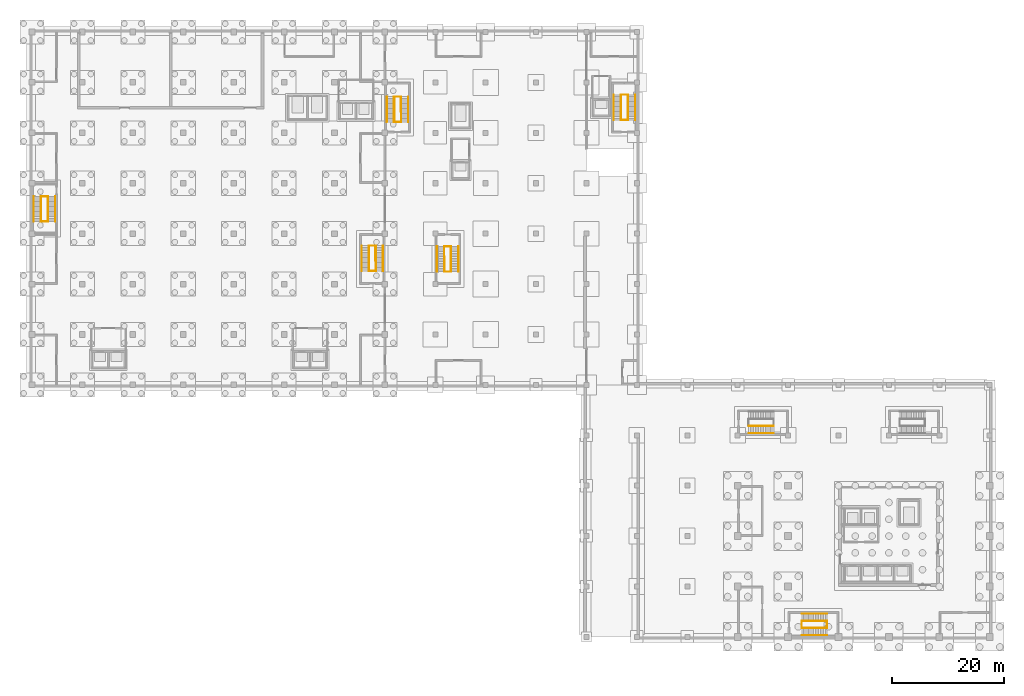
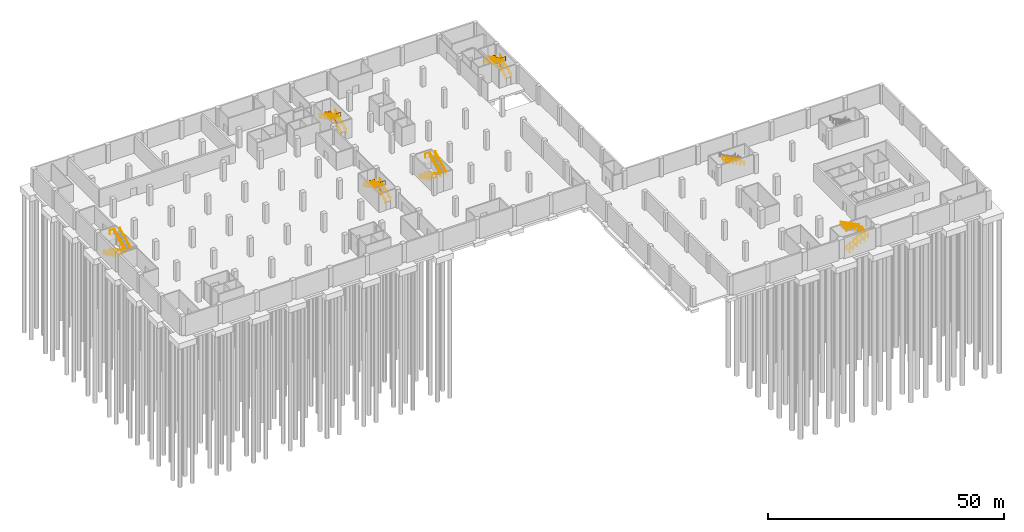
# One storey, part 15 of 17: 32 railings.
"""IFC4 building model written with IfcOpenShell, lengths in metres."""

from ifc_helpers import new_model, si_unit, direction, frame, origin, origin_2d, place, context, subcontext, project, spatial, circle, extrude, material, type_object, element, save


model = new_model("IFC4")

# Units and contexts
model_context = context("Model", 3, precision=1e-05, world=origin(), true_north=direction((0.0, 1.0)))
body_context = subcontext(model_context, "Body", "Model", "MODEL_VIEW")
ifc_project = project(units=[si_unit("LENGTHUNIT", "METRE"), si_unit("AREAUNIT", "SQUARE_METRE"), si_unit("VOLUMEUNIT", "CUBIC_METRE"), si_unit("PLANEANGLEUNIT", "RADIAN"), si_unit("MASSUNIT", "GRAM", prefix="KILO")], contexts=[model_context])

# Site, building, storey
site_placement = place(None, origin())
site = spatial("IfcSite", under=ifc_project, at=site_placement, CompositionType="ELEMENT")
building_placement = place(site_placement, origin())
building = spatial("IfcBuilding", under=site, at=building_placement, Name="Guidao Yard Department Store", CompositionType="ELEMENT")
storey_placement = place(building_placement, frame((0.0, 0.0, -9.89990234375)))
storey = spatial("IfcBuildingStorey", under=building, at=storey_placement, Name="B2", CompositionType="ELEMENT", Elevation=-9.89990234375)

# Railings
ifc_material_1 = material(Name="Steel Q235", Category="steel")
railing_type_1 = type_object("IfcRailingType", Name="Guard steel balustrade 1100", PredefinedType="GUARDRAIL", material=ifc_material_1)
railing_1_placement = place(storey_placement, frame((73.64990234375, 67.89990234375, 1.0498046875)))
element("IfcRailing", 1, at=railing_1_placement, inside=storey, type_object=railing_type_1, Name="Basement stair G1 guard B2 1", PredefinedType="GUARDRAIL", context=body_context, shape_type="SweptSolid", body=[
    extrude(circle(Radius=0.02392578125, at=origin_2d()), frame((0.0, 0.0, 1.076171875), z_axis=(0.0, -0.894411015155, 0.447245945728), x_axis=(1.0, 0.0, 0.0)), (0.0, 0.0, 1.0), 3.018798828125),
    extrude(circle(Radius=0.02392578125, at=origin_2d()), frame((0.0, -2.699951171875, 2.42626953125), z_axis=(1.0, 0.0, 0.0), x_axis=(0.0, 1.0, 0.0)), (0.0, 0.0, 1.0), 1.150146484375),
    extrude(circle(Radius=0.02392578125, at=origin_2d()), frame((1.150146484375, -2.699951171875, 2.42626953125), z_axis=(0.0, 0.0, 1.0), x_axis=(1.0, 0.0, 0.0)), (0.0, 0.0, 1.0), 0.14990234375),
    extrude(circle(Radius=0.02392578125, at=origin_2d()), frame((1.150146484375, -2.699951171875, 2.576171875), z_axis=(0.0, 0.894427191, 0.4472135955), x_axis=(-1.0, 0.0, 0.0)), (0.0, 0.0, 1.0), 5.03125),
    extrude(circle(Radius=0.02392578125, at=origin_2d()), frame((1.150146484375, 1.800048828125, 4.826171875), z_axis=(-1.0, 0.0, 0.0), x_axis=(0.0, -1.0, 0.0)), (0.0, 0.0, 1.0), 1.150146484375),
    extrude(circle(Radius=0.02099609375, at=origin_2d()), origin(), (0.0, 0.0, 1.0), 1.052001953125),
    extrude(circle(Radius=0.02099609375, at=origin_2d()), frame((0.0, -0.89990234375, 0.449951171875)), (0.0, 0.0, 1.0), 1.052001953125),
    extrude(circle(Radius=0.02099609375, at=origin_2d()), frame((0.0, -1.800048828125, 0.900146484375)), (0.0, 0.0, 1.0), 1.052001953125),
    extrude(circle(Radius=0.02099609375, at=origin_2d()), frame((0.0, -2.699951171875, 1.35009765625)), (0.0, 0.0, 1.0), 1.052001953125),
    extrude(circle(Radius=0.02099609375, at=origin_2d()), frame((1.150146484375, -2.699951171875, 1.35009765625)), (0.0, 0.0, 1.0), 1.052001953125),
    extrude(circle(Radius=0.02099609375, at=origin_2d()), frame((1.150146484375, -2.699951171875, 1.5)), (0.0, 0.0, 1.0), 1.052001953125),
    extrude(circle(Radius=0.02099609375, at=origin_2d()), frame((1.150146484375, -1.800048828125, 1.949951171875)), (0.0, 0.0, 1.0), 1.052001953125),
    extrude(circle(Radius=0.02099609375, at=origin_2d()), frame((1.150146484375, -0.89990234375, 2.39990234375)), (0.0, 0.0, 1.0), 1.052001953125),
    extrude(circle(Radius=0.02099609375, at=origin_2d()), frame((1.150146484375, 0.0, 2.85009765625)), (0.0, 0.0, 1.0), 1.052001953125),
    extrude(circle(Radius=0.02099609375, at=origin_2d()), frame((1.150146484375, 0.900146484375, 3.300048828125)), (0.0, 0.0, 1.0), 1.052001953125),
    extrude(circle(Radius=0.02099609375, at=origin_2d()), frame((1.150146484375, 1.800048828125, 3.75)), (0.0, 0.0, 1.0), 1.052001953125),
    extrude(circle(Radius=0.02099609375, at=origin_2d()), frame((0.0, 1.800048828125, 3.75)), (0.0, 0.0, 1.0), 1.052001953125),
])
railing_2_placement = place(storey_placement, frame((106.35009765625, 94.10009765625, 1.0498046875)))
element("IfcRailing", 2, at=railing_2_placement, inside=storey, type_object=railing_type_1, Name="Basement stair G2 guard B2 2", PredefinedType="GUARDRAIL", context=body_context, shape_type="SweptSolid", body=[
    extrude(circle(Radius=0.02392578125, at=origin_2d()), frame((0.0, 0.0, 1.076171875), z_axis=(0.0, 0.894411015155, 0.447245945728), x_axis=(-1.0, 0.0, 0.0)), (0.0, 0.0, 1.0), 3.018798828125),
    extrude(circle(Radius=0.02392578125, at=origin_2d()), frame((0.0, 2.699951171875, 2.42626953125), z_axis=(-1.0, 0.0, 0.0), x_axis=(0.0, -1.0, 0.0)), (0.0, 0.0, 1.0), 1.150146484375),
    extrude(circle(Radius=0.02392578125, at=origin_2d()), frame((-1.150146484375, 2.699951171875, 2.42626953125), z_axis=(0.0, 0.0, 1.0), x_axis=(1.0, 0.0, 0.0)), (0.0, 0.0, 1.0), 0.14990234375),
    extrude(circle(Radius=0.02392578125, at=origin_2d()), frame((-1.150146484375, 2.699951171875, 2.576171875), z_axis=(0.0, -0.894427191, 0.4472135955), x_axis=(1.0, 0.0, 0.0)), (0.0, 0.0, 1.0), 5.03125),
    extrude(circle(Radius=0.02392578125, at=origin_2d()), frame((-1.150146484375, -1.800048828125, 4.826171875), z_axis=(1.0, 0.0, 0.0), x_axis=(0.0, 1.0, 0.0)), (0.0, 0.0, 1.0), 1.150146484375),
    extrude(circle(Radius=0.02099609375, at=origin_2d()), origin(), (0.0, 0.0, 1.0), 1.052001953125),
    extrude(circle(Radius=0.02099609375, at=origin_2d()), frame((0.0, 0.89990234375, 0.449951171875)), (0.0, 0.0, 1.0), 1.052001953125),
    extrude(circle(Radius=0.02099609375, at=origin_2d()), frame((0.0, 1.800048828125, 0.900146484375)), (0.0, 0.0, 1.0), 1.052001953125),
    extrude(circle(Radius=0.02099609375, at=origin_2d()), frame((0.0, 2.699951171875, 1.35009765625)), (0.0, 0.0, 1.0), 1.052001953125),
    extrude(circle(Radius=0.02099609375, at=origin_2d()), frame((-1.150146484375, 2.699951171875, 1.35009765625)), (0.0, 0.0, 1.0), 1.052001953125),
    extrude(circle(Radius=0.02099609375, at=origin_2d()), frame((-1.150146484375, 2.699951171875, 1.5)), (0.0, 0.0, 1.0), 1.052001953125),
    extrude(circle(Radius=0.02099609375, at=origin_2d()), frame((-1.150146484375, 1.800048828125, 1.949951171875)), (0.0, 0.0, 1.0), 1.052001953125),
    extrude(circle(Radius=0.02099609375, at=origin_2d()), frame((-1.150146484375, 0.89990234375, 2.39990234375)), (0.0, 0.0, 1.0), 1.052001953125),
    extrude(circle(Radius=0.02099609375, at=origin_2d()), frame((-1.150146484375, 0.0, 2.85009765625)), (0.0, 0.0, 1.0), 1.052001953125),
    extrude(circle(Radius=0.02099609375, at=origin_2d()), frame((-1.150146484375, -0.900146484375, 3.300048828125)), (0.0, 0.0, 1.0), 1.052001953125),
    extrude(circle(Radius=0.02099609375, at=origin_2d()), frame((-1.150146484375, -1.800048828125, 3.75)), (0.0, 0.0, 1.0), 1.052001953125),
    extrude(circle(Radius=0.02099609375, at=origin_2d()), frame((0.0, -1.800048828125, 3.75)), (0.0, 0.0, 1.0), 1.052001953125),
])
railing_3_placement = place(storey_placement, frame((1.64990234375, 76.85009765625, 1.0498046875)))
element("IfcRailing", 3, at=railing_3_placement, inside=storey, type_object=railing_type_1, Name="Basement stair H1 guard B2 3", PredefinedType="GUARDRAIL", context=body_context, shape_type="SweptSolid", body=[
    extrude(circle(Radius=0.02392578125, at=origin_2d()), frame((0.0, 0.0, 1.076171875), z_axis=(0.0, -0.894427191, 0.4472135955), x_axis=(1.0, 0.0, 0.0)), (0.0, 0.0, 1.0), 3.018798828125),
    extrude(circle(Radius=0.02392578125, at=origin_2d()), frame((0.0, -2.7001953125, 2.42626953125), z_axis=(1.0, 0.0, 0.0), x_axis=(0.0, 1.0, 0.0)), (0.0, 0.0, 1.0), 1.150146484375),
    extrude(circle(Radius=0.02392578125, at=origin_2d()), frame((1.150146484375, -2.7001953125, 2.42626953125), z_axis=(0.0, 0.0, 1.0), x_axis=(1.0, 0.0, 0.0)), (0.0, 0.0, 1.0), 0.14990234375),
    extrude(circle(Radius=0.02392578125, at=origin_2d()), frame((1.150146484375, -2.7001953125, 2.576171875), z_axis=(0.0, 0.894427191, 0.4472135955), x_axis=(-1.0, 0.0, 0.0)), (0.0, 0.0, 1.0), 5.03125),
    extrude(circle(Radius=0.02392578125, at=origin_2d()), frame((1.150146484375, 1.7998046875, 4.826171875), z_axis=(-1.0, 0.0, 0.0), x_axis=(0.0, -1.0, 0.0)), (0.0, 0.0, 1.0), 1.150146484375),
    extrude(circle(Radius=0.02099609375, at=origin_2d()), origin(), (0.0, 0.0, 1.0), 1.052001953125),
    extrude(circle(Radius=0.02099609375, at=origin_2d()), frame((0.0, -0.900146484375, 0.449951171875)), (0.0, 0.0, 1.0), 1.052001953125),
    extrude(circle(Radius=0.02099609375, at=origin_2d()), frame((0.0, -1.800048828125, 0.900146484375)), (0.0, 0.0, 1.0), 1.052001953125),
    extrude(circle(Radius=0.02099609375, at=origin_2d()), frame((0.0, -2.7001953125, 1.35009765625)), (0.0, 0.0, 1.0), 1.052001953125),
    extrude(circle(Radius=0.02099609375, at=origin_2d()), frame((1.150146484375, -2.7001953125, 1.35009765625)), (0.0, 0.0, 1.0), 1.052001953125),
    extrude(circle(Radius=0.02099609375, at=origin_2d()), frame((1.150146484375, -2.7001953125, 1.5)), (0.0, 0.0, 1.0), 1.052001953125),
    extrude(circle(Radius=0.02099609375, at=origin_2d()), frame((1.150146484375, -1.80029296875, 1.949951171875)), (0.0, 0.0, 1.0), 1.052001953125),
    extrude(circle(Radius=0.02099609375, at=origin_2d()), frame((1.150146484375, -0.900146484375, 2.39990234375)), (0.0, 0.0, 1.0), 1.052001953125),
    extrude(circle(Radius=0.02099609375, at=origin_2d()), frame((1.150146484375, -0.000244140625, 2.85009765625)), (0.0, 0.0, 1.0), 1.052001953125),
    extrude(circle(Radius=0.02099609375, at=origin_2d()), frame((1.150146484375, 0.89990234375, 3.300048828125)), (0.0, 0.0, 1.0), 1.052001953125),
    extrude(circle(Radius=0.02099609375, at=origin_2d()), frame((1.150146484375, 1.7998046875, 3.75)), (0.0, 0.0, 1.0), 1.052001953125),
    extrude(circle(Radius=0.02099609375, at=origin_2d()), frame((0.0, 1.7998046875, 3.75)), (0.0, 0.0, 1.0), 1.052001953125),
])
railing_4_placement = place(storey_placement, frame((65.85009765625, 93.75, 1.0498046875)))
element("IfcRailing", 4, at=railing_4_placement, inside=storey, type_object=railing_type_1, Name="Basement stair H2 guard B2 4", PredefinedType="GUARDRAIL", context=body_context, shape_type="SweptSolid", body=[
    extrude(circle(Radius=0.02392578125, at=origin_2d()), frame((0.0, 0.0, 1.076171875), z_axis=(0.0, 0.894411015155, 0.447245945728), x_axis=(-1.0, 0.0, 0.0)), (0.0, 0.0, 1.0), 3.018798828125),
    extrude(circle(Radius=0.02392578125, at=origin_2d()), frame((0.0, 2.699951171875, 2.42626953125), z_axis=(-1.0, 0.0, 0.0), x_axis=(0.0, -1.0, 0.0)), (0.0, 0.0, 1.0), 1.150146484375),
    extrude(circle(Radius=0.02392578125, at=origin_2d()), frame((-1.150146484375, 2.699951171875, 2.42626953125), z_axis=(0.0, 0.0, 1.0), x_axis=(1.0, 0.0, 0.0)), (0.0, 0.0, 1.0), 0.14990234375),
    extrude(circle(Radius=0.02392578125, at=origin_2d()), frame((-1.150146484375, 2.699951171875, 2.576171875), z_axis=(0.0, -0.894427191, 0.4472135955), x_axis=(1.0, 0.0, 0.0)), (0.0, 0.0, 1.0), 5.03125),
    extrude(circle(Radius=0.02392578125, at=origin_2d()), frame((-1.150146484375, -1.800048828125, 4.826171875), z_axis=(1.0, 0.0, 0.0), x_axis=(0.0, 1.0, 0.0)), (0.0, 0.0, 1.0), 1.150146484375),
    extrude(circle(Radius=0.02099609375, at=origin_2d()), origin(), (0.0, 0.0, 1.0), 1.052001953125),
    extrude(circle(Radius=0.02099609375, at=origin_2d()), frame((0.0, 0.89990234375, 0.449951171875)), (0.0, 0.0, 1.0), 1.052001953125),
    extrude(circle(Radius=0.02099609375, at=origin_2d()), frame((0.0, 1.800048828125, 0.900146484375)), (0.0, 0.0, 1.0), 1.052001953125),
    extrude(circle(Radius=0.02099609375, at=origin_2d()), frame((0.0, 2.699951171875, 1.35009765625)), (0.0, 0.0, 1.0), 1.052001953125),
    extrude(circle(Radius=0.02099609375, at=origin_2d()), frame((-1.150146484375, 2.699951171875, 1.35009765625)), (0.0, 0.0, 1.0), 1.052001953125),
    extrude(circle(Radius=0.02099609375, at=origin_2d()), frame((-1.150146484375, 2.699951171875, 1.5)), (0.0, 0.0, 1.0), 1.052001953125),
    extrude(circle(Radius=0.02099609375, at=origin_2d()), frame((-1.150146484375, 1.800048828125, 1.949951171875)), (0.0, 0.0, 1.0), 1.052001953125),
    extrude(circle(Radius=0.02099609375, at=origin_2d()), frame((-1.150146484375, 0.89990234375, 2.39990234375)), (0.0, 0.0, 1.0), 1.052001953125),
    extrude(circle(Radius=0.02099609375, at=origin_2d()), frame((-1.150146484375, 0.0, 2.85009765625)), (0.0, 0.0, 1.0), 1.052001953125),
    extrude(circle(Radius=0.02099609375, at=origin_2d()), frame((-1.150146484375, -0.900146484375, 3.300048828125)), (0.0, 0.0, 1.0), 1.052001953125),
    extrude(circle(Radius=0.02099609375, at=origin_2d()), frame((-1.150146484375, -1.800048828125, 3.75)), (0.0, 0.0, 1.0), 1.052001953125),
    extrude(circle(Radius=0.02099609375, at=origin_2d()), frame((0.0, -1.800048828125, 3.75)), (0.0, 0.0, 1.0), 1.052001953125),
])
railing_5_placement = place(storey_placement, frame((61.35009765625, 67.14990234375, 1.0498046875)))
element("IfcRailing", 5, at=railing_5_placement, inside=storey, type_object=railing_type_1, Name="Basement stair H3 guard B2 5", PredefinedType="GUARDRAIL", context=body_context, shape_type="SweptSolid", body=[
    extrude(circle(Radius=0.02392578125, at=origin_2d()), frame((0.0, 0.0, 1.076171875), z_axis=(0.0, 0.894427191, 0.4472135955), x_axis=(-1.0, 0.0, 0.0)), (0.0, 0.0, 1.0), 3.018798828125),
    extrude(circle(Radius=0.02392578125, at=origin_2d()), frame((0.0, 2.7001953125, 2.42626953125), z_axis=(-1.0, 0.0, 0.0), x_axis=(0.0, -1.0, 0.0)), (0.0, 0.0, 1.0), 1.150146484375),
    extrude(circle(Radius=0.02392578125, at=origin_2d()), frame((-1.150146484375, 2.7001953125, 2.42626953125), z_axis=(0.0, 0.0, 1.0), x_axis=(1.0, 0.0, 0.0)), (0.0, 0.0, 1.0), 0.14990234375),
    extrude(circle(Radius=0.02392578125, at=origin_2d()), frame((-1.150146484375, 2.7001953125, 2.576171875), z_axis=(0.0, -0.894427191, 0.4472135955), x_axis=(1.0, 0.0, 0.0)), (0.0, 0.0, 1.0), 5.03125),
    extrude(circle(Radius=0.02392578125, at=origin_2d()), frame((-1.150146484375, -1.7998046875, 4.826171875), z_axis=(1.0, 0.0, 0.0), x_axis=(0.0, 1.0, 0.0)), (0.0, 0.0, 1.0), 1.150146484375),
    extrude(circle(Radius=0.02099609375, at=origin_2d()), origin(), (0.0, 0.0, 1.0), 1.052001953125),
    extrude(circle(Radius=0.02099609375, at=origin_2d()), frame((0.0, 0.900146484375, 0.449951171875)), (0.0, 0.0, 1.0), 1.052001953125),
    extrude(circle(Radius=0.02099609375, at=origin_2d()), frame((0.0, 1.800048828125, 0.900146484375)), (0.0, 0.0, 1.0), 1.052001953125),
    extrude(circle(Radius=0.02099609375, at=origin_2d()), frame((0.0, 2.7001953125, 1.35009765625)), (0.0, 0.0, 1.0), 1.052001953125),
    extrude(circle(Radius=0.02099609375, at=origin_2d()), frame((-1.150146484375, 2.7001953125, 1.35009765625)), (0.0, 0.0, 1.0), 1.052001953125),
    extrude(circle(Radius=0.02099609375, at=origin_2d()), frame((-1.150146484375, 2.7001953125, 1.5)), (0.0, 0.0, 1.0), 1.052001953125),
    extrude(circle(Radius=0.02099609375, at=origin_2d()), frame((-1.150146484375, 1.80029296875, 1.949951171875)), (0.0, 0.0, 1.0), 1.052001953125),
    extrude(circle(Radius=0.02099609375, at=origin_2d()), frame((-1.150146484375, 0.900146484375, 2.39990234375)), (0.0, 0.0, 1.0), 1.052001953125),
    extrude(circle(Radius=0.02099609375, at=origin_2d()), frame((-1.150146484375, 0.000244140625, 2.85009765625)), (0.0, 0.0, 1.0), 1.052001953125),
    extrude(circle(Radius=0.02099609375, at=origin_2d()), frame((-1.150146484375, -0.89990234375, 3.300048828125)), (0.0, 0.0, 1.0), 1.052001953125),
    extrude(circle(Radius=0.02099609375, at=origin_2d()), frame((-1.150146484375, -1.7998046875, 3.75)), (0.0, 0.0, 1.0), 1.052001953125),
    extrude(circle(Radius=0.02099609375, at=origin_2d()), frame((0.0, -1.7998046875, 3.75)), (0.0, 0.0, 1.0), 1.052001953125),
])
railing_6_placement = place(storey_placement, frame((139.25, 1.64990234375, 1.0498046875)))
element("IfcRailing", 6, at=railing_6_placement, inside=storey, type_object=railing_type_1, Name="Basement stair O1 guard B2 6", PredefinedType="GUARDRAIL", context=body_context, shape_type="SweptSolid", body=[
    extrude(circle(Radius=0.02392578125, at=origin_2d()), frame((0.0, 0.0, 1.076171875), z_axis=(0.894411015155, 0.0, 0.447245945728), x_axis=(0.0, 1.0, 0.0)), (0.0, 0.0, 1.0), 3.018798828125),
    extrude(circle(Radius=0.02392578125, at=origin_2d()), frame((2.699951171875, 0.0, 2.42626953125), z_axis=(0.0, 1.0, 0.0), x_axis=(-1.0, 0.0, 0.0)), (0.0, 0.0, 1.0), 1.150146484375),
    extrude(circle(Radius=0.02392578125, at=origin_2d()), frame((2.699951171875, 1.150146484375, 2.42626953125), z_axis=(0.0, 0.0, 1.0), x_axis=(1.0, 0.0, 0.0)), (0.0, 0.0, 1.0), 0.14990234375),
    extrude(circle(Radius=0.02392578125, at=origin_2d()), frame((2.699951171875, 1.150146484375, 2.576171875), z_axis=(-0.894427191, 0.0, 0.4472135955), x_axis=(0.0, -1.0, 0.0)), (0.0, 0.0, 1.0), 5.03125),
    extrude(circle(Radius=0.02392578125, at=origin_2d()), frame((-1.800048828125, 1.150146484375, 4.826171875), z_axis=(0.0, -1.0, 0.0), x_axis=(1.0, 0.0, 0.0)), (0.0, 0.0, 1.0), 1.150146484375),
    extrude(circle(Radius=0.02099609375, at=origin_2d()), origin(), (0.0, 0.0, 1.0), 1.052001953125),
    extrude(circle(Radius=0.02099609375, at=origin_2d()), frame((0.89990234375, 0.0, 0.449951171875)), (0.0, 0.0, 1.0), 1.052001953125),
    extrude(circle(Radius=0.02099609375, at=origin_2d()), frame((1.800048828125, 0.0, 0.900146484375)), (0.0, 0.0, 1.0), 1.052001953125),
    extrude(circle(Radius=0.02099609375, at=origin_2d()), frame((2.699951171875, 0.0, 1.35009765625)), (0.0, 0.0, 1.0), 1.052001953125),
    extrude(circle(Radius=0.02099609375, at=origin_2d()), frame((2.699951171875, 1.150146484375, 1.35009765625)), (0.0, 0.0, 1.0), 1.052001953125),
    extrude(circle(Radius=0.02099609375, at=origin_2d()), frame((2.699951171875, 1.150146484375, 1.5)), (0.0, 0.0, 1.0), 1.052001953125),
    extrude(circle(Radius=0.02099609375, at=origin_2d()), frame((1.800048828125, 1.150146484375, 1.949951171875)), (0.0, 0.0, 1.0), 1.052001953125),
    extrude(circle(Radius=0.02099609375, at=origin_2d()), frame((0.89990234375, 1.150146484375, 2.39990234375)), (0.0, 0.0, 1.0), 1.052001953125),
    extrude(circle(Radius=0.02099609375, at=origin_2d()), frame((0.0, 1.150146484375, 2.85009765625)), (0.0, 0.0, 1.0), 1.052001953125),
    extrude(circle(Radius=0.02099609375, at=origin_2d()), frame((-0.900146484375, 1.150146484375, 3.300048828125)), (0.0, 0.0, 1.0), 1.052001953125),
    extrude(circle(Radius=0.02099609375, at=origin_2d()), frame((-1.800048828125, 1.150146484375, 3.75)), (0.0, 0.0, 1.0), 1.052001953125),
    extrude(circle(Radius=0.02099609375, at=origin_2d()), frame((-1.800048828125, 0.0, 3.75)), (0.0, 0.0, 1.0), 1.052001953125),
])
ifc_material_2 = material(Name="Steel Q235", Category="steel")
railing_type_2 = type_object("IfcRailingType", Name="Handrail steel tube 48", PredefinedType="HANDRAIL", material=ifc_material_2)
for number, where, name in (
    (7, (72.31005859375, 69.699951171875, 0.14990234375), "Basement stair G1 hand rail B2 1"),
    (8, (73.590087890625, 69.699951171875, 0.14990234375), "Basement stair G1 hand rail B2 2"),
):
    element("IfcRailing", number, at=place(storey_placement, frame(where)), inside=storey, type_object=railing_type_2, Name=name, PredefinedType="HANDRAIL", context=body_context, shape_type="SweptSolid", body=[
        extrude(circle(Radius=0.02392578125, at=origin_2d()), frame((0.0, 0.0, 0.8759765625), z_axis=(0.0, -0.894427191, 0.4472135955), x_axis=(1.0, 0.0, 0.0)), (0.0, 0.0, 1.0), 5.03125),
        extrude(circle(Radius=0.02099609375, at=origin_2d()), origin(), (0.0, 0.0, 1.0), 0.851806640625),
        extrude(circle(Radius=0.02099609375, at=origin_2d()), frame((0.0, -0.89990234375, 0.449951171875)), (0.0, 0.0, 1.0), 0.851806640625),
        extrude(circle(Radius=0.02099609375, at=origin_2d()), frame((0.0, -1.800048828125, 0.89990234375)), (0.0, 0.0, 1.0), 0.851806640625),
        extrude(circle(Radius=0.02099609375, at=origin_2d()), frame((0.0, -2.699951171875, 1.35009765625)), (0.0, 0.0, 1.0), 0.851806640625),
        extrude(circle(Radius=0.02099609375, at=origin_2d()), frame((0.0, -3.60009765625, 1.800048828125)), (0.0, 0.0, 1.0), 0.851806640625),
        extrude(circle(Radius=0.02099609375, at=origin_2d()), frame((0.0, -4.5, 2.25)), (0.0, 0.0, 1.0), 0.851806640625),
    ])
for number, where, name in (
    (9, (74.860107421875, 65.199951171875, 2.5498046875), "Basement stair G1 hand rail B2 3"),
    (10, (76.139892578125, 65.199951171875, 2.5498046875), "Basement stair G1 hand rail B2 4"),
    (11, (107.68994140625, 92.300048828125, 0.14990234375), "Basement stair G2 hand rail B2 5"),
    (12, (106.409912109375, 92.300048828125, 0.14990234375), "Basement stair G2 hand rail B2 6"),
):
    element("IfcRailing", number, at=place(storey_placement, frame(where)), inside=storey, type_object=railing_type_2, Name=name, PredefinedType="HANDRAIL", context=body_context, shape_type="SweptSolid", body=[
        extrude(circle(Radius=0.02392578125, at=origin_2d()), frame((0.0, 0.0, 0.8759765625), z_axis=(0.0, 0.894427191, 0.4472135955), x_axis=(-1.0, 0.0, 0.0)), (0.0, 0.0, 1.0), 5.03125),
        extrude(circle(Radius=0.02099609375, at=origin_2d()), origin(), (0.0, 0.0, 1.0), 0.851806640625),
        extrude(circle(Radius=0.02099609375, at=origin_2d()), frame((0.0, 0.89990234375, 0.449951171875)), (0.0, 0.0, 1.0), 0.851806640625),
        extrude(circle(Radius=0.02099609375, at=origin_2d()), frame((0.0, 1.800048828125, 0.89990234375)), (0.0, 0.0, 1.0), 0.851806640625),
        extrude(circle(Radius=0.02099609375, at=origin_2d()), frame((0.0, 2.699951171875, 1.35009765625)), (0.0, 0.0, 1.0), 0.851806640625),
        extrude(circle(Radius=0.02099609375, at=origin_2d()), frame((0.0, 3.60009765625, 1.800048828125)), (0.0, 0.0, 1.0), 0.851806640625),
        extrude(circle(Radius=0.02099609375, at=origin_2d()), frame((0.0, 4.5, 2.25)), (0.0, 0.0, 1.0), 0.851806640625),
    ])
for number, where, name in (
    (13, (105.139892578125, 96.800048828125, 2.5498046875), "Basement stair G2 hand rail B2 7"),
    (14, (103.860107421875, 96.800048828125, 2.5498046875), "Basement stair G2 hand rail B2 8"),
    (15, (0.31005859375, 78.64990234375, 0.14990234375), "Basement stair H1 hand rail B2 9"),
    (16, (1.590087890625, 78.64990234375, 0.14990234375), "Basement stair H1 hand rail B2 10"),
):
    element("IfcRailing", number, at=place(storey_placement, frame(where)), inside=storey, type_object=railing_type_2, Name=name, PredefinedType="HANDRAIL", context=body_context, shape_type="SweptSolid", body=[
        extrude(circle(Radius=0.02392578125, at=origin_2d()), frame((0.0, 0.0, 0.8759765625), z_axis=(0.0, -0.894427191, 0.4472135955), x_axis=(1.0, 0.0, 0.0)), (0.0, 0.0, 1.0), 5.03125),
        extrude(circle(Radius=0.02099609375, at=origin_2d()), origin(), (0.0, 0.0, 1.0), 0.851806640625),
        extrude(circle(Radius=0.02099609375, at=origin_2d()), frame((0.0, -0.89990234375, 0.449951171875)), (0.0, 0.0, 1.0), 0.851806640625),
        extrude(circle(Radius=0.02099609375, at=origin_2d()), frame((0.0, -1.800048828125, 0.89990234375)), (0.0, 0.0, 1.0), 0.851806640625),
        extrude(circle(Radius=0.02099609375, at=origin_2d()), frame((0.0, -2.699951171875, 1.35009765625)), (0.0, 0.0, 1.0), 0.851806640625),
        extrude(circle(Radius=0.02099609375, at=origin_2d()), frame((0.0, -3.60009765625, 1.800048828125)), (0.0, 0.0, 1.0), 0.851806640625),
        extrude(circle(Radius=0.02099609375, at=origin_2d()), frame((0.0, -4.5, 2.25)), (0.0, 0.0, 1.0), 0.851806640625),
    ])
for number, where, name in (
    (17, (2.860107421875, 74.14990234375, 2.5498046875), "Basement stair H1 hand rail B2 11"),
    (18, (4.139892578125, 74.14990234375, 2.5498046875), "Basement stair H1 hand rail B2 12"),
    (19, (67.18994140625, 91.949951171875, 0.14990234375), "Basement stair H2 hand rail B2 13"),
    (20, (65.909912109375, 91.949951171875, 0.14990234375), "Basement stair H2 hand rail B2 14"),
):
    element("IfcRailing", number, at=place(storey_placement, frame(where)), inside=storey, type_object=railing_type_2, Name=name, PredefinedType="HANDRAIL", context=body_context, shape_type="SweptSolid", body=[
        extrude(circle(Radius=0.02392578125, at=origin_2d()), frame((0.0, 0.0, 0.8759765625), z_axis=(0.0, 0.894427191, 0.4472135955), x_axis=(-1.0, 0.0, 0.0)), (0.0, 0.0, 1.0), 5.03125),
        extrude(circle(Radius=0.02099609375, at=origin_2d()), origin(), (0.0, 0.0, 1.0), 0.851806640625),
        extrude(circle(Radius=0.02099609375, at=origin_2d()), frame((0.0, 0.89990234375, 0.449951171875)), (0.0, 0.0, 1.0), 0.851806640625),
        extrude(circle(Radius=0.02099609375, at=origin_2d()), frame((0.0, 1.800048828125, 0.89990234375)), (0.0, 0.0, 1.0), 0.851806640625),
        extrude(circle(Radius=0.02099609375, at=origin_2d()), frame((0.0, 2.699951171875, 1.35009765625)), (0.0, 0.0, 1.0), 0.851806640625),
        extrude(circle(Radius=0.02099609375, at=origin_2d()), frame((0.0, 3.60009765625, 1.800048828125)), (0.0, 0.0, 1.0), 0.851806640625),
        extrude(circle(Radius=0.02099609375, at=origin_2d()), frame((0.0, 4.5, 2.25)), (0.0, 0.0, 1.0), 0.851806640625),
    ])
for number, where, name in (
    (21, (64.639892578125, 96.449951171875, 2.5498046875), "Basement stair H2 hand rail B2 15"),
    (22, (63.360107421875, 96.449951171875, 2.5498046875), "Basement stair H2 hand rail B2 16"),
):
    element("IfcRailing", number, at=place(storey_placement, frame(where)), inside=storey, type_object=railing_type_2, Name=name, PredefinedType="HANDRAIL", context=body_context, shape_type="SweptSolid", body=[
        extrude(circle(Radius=0.02392578125, at=origin_2d()), frame((0.0, 0.0, 0.8759765625), z_axis=(0.0, -0.894427191, 0.4472135955), x_axis=(1.0, 0.0, 0.0)), (0.0, 0.0, 1.0), 5.03125),
        extrude(circle(Radius=0.02099609375, at=origin_2d()), origin(), (0.0, 0.0, 1.0), 0.851806640625),
        extrude(circle(Radius=0.02099609375, at=origin_2d()), frame((0.0, -0.89990234375, 0.449951171875)), (0.0, 0.0, 1.0), 0.851806640625),
        extrude(circle(Radius=0.02099609375, at=origin_2d()), frame((0.0, -1.800048828125, 0.89990234375)), (0.0, 0.0, 1.0), 0.851806640625),
        extrude(circle(Radius=0.02099609375, at=origin_2d()), frame((0.0, -2.699951171875, 1.35009765625)), (0.0, 0.0, 1.0), 0.851806640625),
        extrude(circle(Radius=0.02099609375, at=origin_2d()), frame((0.0, -3.60009765625, 1.800048828125)), (0.0, 0.0, 1.0), 0.851806640625),
        extrude(circle(Radius=0.02099609375, at=origin_2d()), frame((0.0, -4.5, 2.25)), (0.0, 0.0, 1.0), 0.851806640625),
    ])
for number, where, name in (
    (23, (62.68994140625, 65.35009765625, 0.14990234375), "Basement stair H3 hand rail B2 17"),
    (24, (61.409912109375, 65.35009765625, 0.14990234375), "Basement stair H3 hand rail B2 18"),
):
    element("IfcRailing", number, at=place(storey_placement, frame(where)), inside=storey, type_object=railing_type_2, Name=name, PredefinedType="HANDRAIL", context=body_context, shape_type="SweptSolid", body=[
        extrude(circle(Radius=0.02392578125, at=origin_2d()), frame((0.0, 0.0, 0.8759765625), z_axis=(0.0, 0.894427191, 0.4472135955), x_axis=(-1.0, 0.0, 0.0)), (0.0, 0.0, 1.0), 5.03125),
        extrude(circle(Radius=0.02099609375, at=origin_2d()), origin(), (0.0, 0.0, 1.0), 0.851806640625),
        extrude(circle(Radius=0.02099609375, at=origin_2d()), frame((0.0, 0.89990234375, 0.449951171875)), (0.0, 0.0, 1.0), 0.851806640625),
        extrude(circle(Radius=0.02099609375, at=origin_2d()), frame((0.0, 1.800048828125, 0.89990234375)), (0.0, 0.0, 1.0), 0.851806640625),
        extrude(circle(Radius=0.02099609375, at=origin_2d()), frame((0.0, 2.699951171875, 1.35009765625)), (0.0, 0.0, 1.0), 0.851806640625),
        extrude(circle(Radius=0.02099609375, at=origin_2d()), frame((0.0, 3.60009765625, 1.800048828125)), (0.0, 0.0, 1.0), 0.851806640625),
        extrude(circle(Radius=0.02099609375, at=origin_2d()), frame((0.0, 4.5, 2.25)), (0.0, 0.0, 1.0), 0.851806640625),
    ])
for number, where, name in (
    (25, (60.139892578125, 69.85009765625, 2.5498046875), "Basement stair H3 hand rail B2 19"),
    (26, (58.860107421875, 69.85009765625, 2.5498046875), "Basement stair H3 hand rail B2 20"),
):
    element("IfcRailing", number, at=place(storey_placement, frame(where)), inside=storey, type_object=railing_type_2, Name=name, PredefinedType="HANDRAIL", context=body_context, shape_type="SweptSolid", body=[
        extrude(circle(Radius=0.02392578125, at=origin_2d()), frame((0.0, 0.0, 0.8759765625), z_axis=(0.0, -0.894427191, 0.4472135955), x_axis=(1.0, 0.0, 0.0)), (0.0, 0.0, 1.0), 5.03125),
        extrude(circle(Radius=0.02099609375, at=origin_2d()), origin(), (0.0, 0.0, 1.0), 0.851806640625),
        extrude(circle(Radius=0.02099609375, at=origin_2d()), frame((0.0, -0.89990234375, 0.449951171875)), (0.0, 0.0, 1.0), 0.851806640625),
        extrude(circle(Radius=0.02099609375, at=origin_2d()), frame((0.0, -1.800048828125, 0.89990234375)), (0.0, 0.0, 1.0), 0.851806640625),
        extrude(circle(Radius=0.02099609375, at=origin_2d()), frame((0.0, -2.699951171875, 1.35009765625)), (0.0, 0.0, 1.0), 0.851806640625),
        extrude(circle(Radius=0.02099609375, at=origin_2d()), frame((0.0, -3.60009765625, 1.800048828125)), (0.0, 0.0, 1.0), 0.851806640625),
        extrude(circle(Radius=0.02099609375, at=origin_2d()), frame((0.0, -4.5, 2.25)), (0.0, 0.0, 1.0), 0.851806640625),
    ])
for number, where, name in (
    (27, (137.449951171875, 0.31005859375, 0.14990234375), "Basement stair O1 hand rail B2 21"),
    (28, (137.449951171875, 1.590087890625, 0.14990234375), "Basement stair O1 hand rail B2 22"),
):
    element("IfcRailing", number, at=place(storey_placement, frame(where)), inside=storey, type_object=railing_type_2, Name=name, PredefinedType="HANDRAIL", context=body_context, shape_type="SweptSolid", body=[
        extrude(circle(Radius=0.02392578125, at=origin_2d()), frame((0.0, 0.0, 0.8759765625), z_axis=(0.894427191, 0.0, 0.4472135955), x_axis=(0.0, 1.0, 0.0)), (0.0, 0.0, 1.0), 5.03125),
        extrude(circle(Radius=0.02099609375, at=origin_2d()), origin(), (0.0, 0.0, 1.0), 0.851806640625),
        extrude(circle(Radius=0.02099609375, at=origin_2d()), frame((0.89990234375, 0.0, 0.449951171875)), (0.0, 0.0, 1.0), 0.851806640625),
        extrude(circle(Radius=0.02099609375, at=origin_2d()), frame((1.800048828125, 0.0, 0.89990234375)), (0.0, 0.0, 1.0), 0.851806640625),
        extrude(circle(Radius=0.02099609375, at=origin_2d()), frame((2.699951171875, 0.0, 1.35009765625)), (0.0, 0.0, 1.0), 0.851806640625),
        extrude(circle(Radius=0.02099609375, at=origin_2d()), frame((3.60009765625, 0.0, 1.800048828125)), (0.0, 0.0, 1.0), 0.851806640625),
        extrude(circle(Radius=0.02099609375, at=origin_2d()), frame((4.5, 0.0, 2.25)), (0.0, 0.0, 1.0), 0.851806640625),
    ])
for number, where, name in (
    (29, (141.949951171875, 2.860107421875, 2.5498046875), "Basement stair O1 hand rail B2 23"),
    (30, (141.949951171875, 4.139892578125, 2.5498046875), "Basement stair O1 hand rail B2 24"),
    (31, (132.449951171875, 37.639892578125, 2.5498046875), "Basement stair Y1 hand rail B2 27"),
    (32, (132.449951171875, 36.360107421875, 2.5498046875), "Basement stair Y1 hand rail B2 28"),
):
    element("IfcRailing", number, at=place(storey_placement, frame(where)), inside=storey, type_object=railing_type_2, Name=name, PredefinedType="HANDRAIL", context=body_context, shape_type="SweptSolid", body=[
        extrude(circle(Radius=0.02392578125, at=origin_2d()), frame((0.0, 0.0, 0.8759765625), z_axis=(-0.894427191, 0.0, 0.4472135955), x_axis=(0.0, -1.0, 0.0)), (0.0, 0.0, 1.0), 5.03125),
        extrude(circle(Radius=0.02099609375, at=origin_2d()), origin(), (0.0, 0.0, 1.0), 0.851806640625),
        extrude(circle(Radius=0.02099609375, at=origin_2d()), frame((-0.89990234375, 0.0, 0.449951171875)), (0.0, 0.0, 1.0), 0.851806640625),
        extrude(circle(Radius=0.02099609375, at=origin_2d()), frame((-1.800048828125, 0.0, 0.89990234375)), (0.0, 0.0, 1.0), 0.851806640625),
        extrude(circle(Radius=0.02099609375, at=origin_2d()), frame((-2.699951171875, 0.0, 1.35009765625)), (0.0, 0.0, 1.0), 0.851806640625),
        extrude(circle(Radius=0.02099609375, at=origin_2d()), frame((-3.60009765625, 0.0, 1.800048828125)), (0.0, 0.0, 1.0), 0.851806640625),
        extrude(circle(Radius=0.02099609375, at=origin_2d()), frame((-4.5, 0.0, 2.25)), (0.0, 0.0, 1.0), 0.851806640625),
    ])

save(model, "model.ifc")
